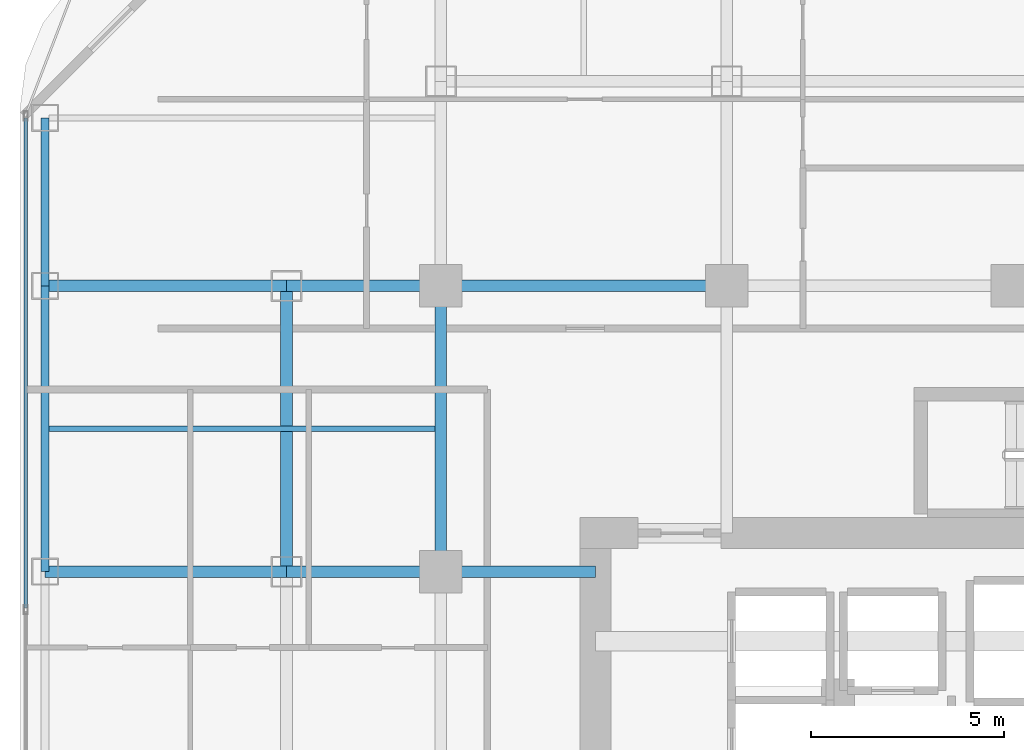
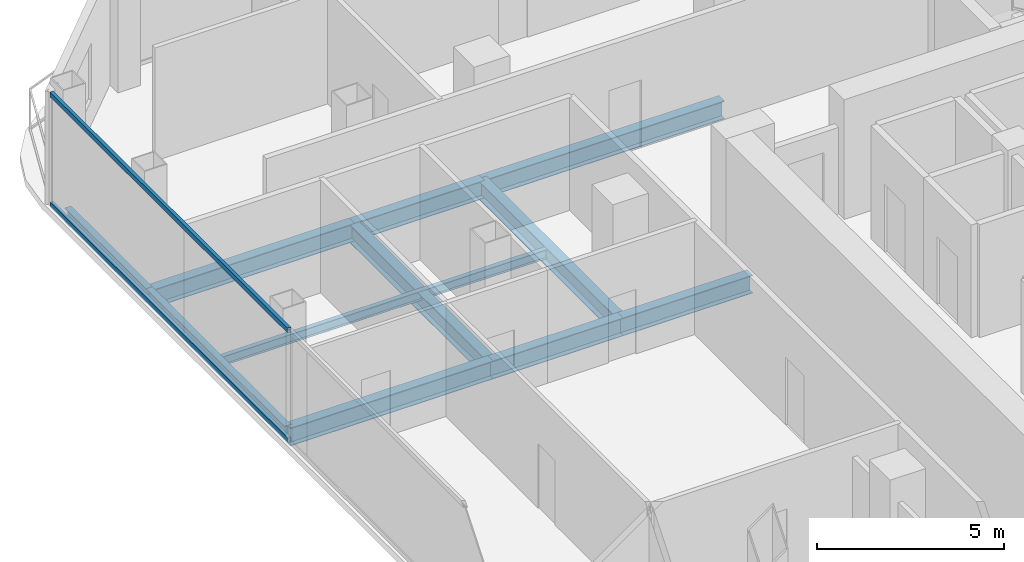
# One storey, part 10 of 25: 11 beams, 2 members, 1 element without a shape of its own.
"""IFC4 building model written with IfcOpenShell, lengths in metres."""

import ifcopenshell
import ifcopenshell.guid

model = None  # the IFC model being written
_history = None  # IfcOwnerHistory: only IFC2X3 demands one
_inside = {}  # id of a spatial element -> (the spatial element, [elements in it])
_under = {}  # id of a project, library or spatial element -> (it, [spatial elements below it])
_declared = {}  # id of a project -> (the project, [libraries it declares])
_typed = {}  # id of a type object -> (the type object, [elements of that type])
_made_of = {}  # id of a material, layer set ... -> (it, [elements and type objects made of it])


def new_model(schema):
    """Start an empty IFC model of exactly this schema.

    Asked for "IFC4X3", IfcOpenShell would pick the latest addendum, in which some entities
    have other attributes; the version numbers below select the first issue.
    IFC2X3 requires an IfcOwnerHistory on every rooted entity: one is made here for all.
    """
    global model, _history
    if schema == "IFC4X3":
        model = ifcopenshell.file(schema_version=(4, 3, 0, 0))
    else:
        model = ifcopenshell.file(schema=schema)
    _inside.clear()
    _under.clear()
    _declared.clear()
    _typed.clear()
    _made_of.clear()
    _history = None
    if model.schema == "IFC2X3":
        org = make("IfcOrganization", Name="unknown")
        user = make(
            "IfcPersonAndOrganization",
            ThePerson=make("IfcPerson", FamilyName="unknown"),
            TheOrganization=org,
        )
        app = make(
            "IfcApplication",
            ApplicationDeveloper=org,
            Version="unknown",
            ApplicationFullName="unknown",
            ApplicationIdentifier="unknown",
        )
        _history = make(
            "IfcOwnerHistory",
            OwningUser=user,
            OwningApplication=app,
            ChangeAction="ADDED",
            CreationDate=0,
        )
    return model


def make(cls, **values):
    """One entity of the class cls with the attributes given. An attribute that is None is left unset."""
    return model.create_entity(
        cls, **{name: value for name, value in values.items() if value is not None}
    )


def rooted(cls, **values):
    """An entity with a GlobalId (a new one), such as an element, a storey or a relation."""
    return make(cls, GlobalId=ifcopenshell.guid.new(), OwnerHistory=_history, **values)


def si_unit(unit_type, name, prefix=None):
    """IfcSIUnit, for example si_unit("LENGTHUNIT", "METRE", prefix="MILLI")."""
    return make("IfcSIUnit", UnitType=unit_type, Prefix=prefix, Name=name)


def assignment(units):
    """IfcUnitAssignment: the units of a project."""
    return None if units is None else make("IfcUnitAssignment", Units=units)


def point(xyz):
    """IfcCartesianPoint."""
    return None if xyz is None else make("IfcCartesianPoint", Coordinates=xyz)


def direction(xyz):
    """IfcDirection."""
    return None if xyz is None else make("IfcDirection", DirectionRatios=xyz)


def frame(location, z_axis=None, x_axis=None):
    """IfcAxis2Placement3D, a coordinate frame: its origin and axes. An axis left out is left unset."""
    return make(
        "IfcAxis2Placement3D",
        Location=point(location),
        Axis=direction(z_axis),
        RefDirection=direction(x_axis),
    )


def frame_2d(location, x_axis=None):
    """IfcAxis2Placement2D, a coordinate frame in the plane: its origin and x axis."""
    return make(
        "IfcAxis2Placement2D", Location=point(location), RefDirection=direction(x_axis)
    )


def origin():
    """The frame at (0, 0, 0) with its axes left unset."""
    return frame((0.0, 0.0, 0.0))


def origin_2d():
    """The frame at (0, 0) in the plane with its x axis left unset."""
    return frame_2d((0.0, 0.0))


def place(relative_to, where):
    """IfcLocalPlacement: puts the frame where relative to a parent placement (None: the world)."""
    return make(
        "IfcLocalPlacement", PlacementRelTo=relative_to, RelativePlacement=where
    )


def context(
    kind, dimensions, precision=None, world=None, true_north=None, identifier=None
):
    """IfcGeometricRepresentationContext, for example the 3D "Model" context."""
    return make(
        "IfcGeometricRepresentationContext",
        ContextIdentifier=identifier,
        ContextType=kind,
        CoordinateSpaceDimension=dimensions,
        Precision=precision,
        WorldCoordinateSystem=world,
        TrueNorth=true_north,
    )


def subcontext(parent, identifier, kind, view, scale=None):
    """IfcGeometricRepresentationSubContext, for example "Body" below "Model"."""
    return make(
        "IfcGeometricRepresentationSubContext",
        ContextIdentifier=identifier,
        ContextType=kind,
        ParentContext=parent,
        TargetScale=scale,
        TargetView=view,
    )


def project(units=None, contexts=None):
    """IfcProject with its units and contexts."""
    return rooted(
        "IfcProject",
        Name="project",
        RepresentationContexts=contexts,
        UnitsInContext=assignment(units),
    )


def spatial(cls, under=None, at=None, **own):
    """A site, building, storey or space (cls), placed at a placement, below another one or the project."""
    s = rooted(cls, ObjectPlacement=at, **own)
    if under is not None:
        _under.setdefault(under.id(), (under, []))[1].append(s)
    return s


def profile(cls, at=None, kind="AREA", **sizes):
    """A parametric profile (cls). Its sizes go by their IFC names, for example OverallWidth=200.0."""
    return make(cls, ProfileType=kind, Position=at, **sizes)


def hollow_rectangle(**sizes):
    """IfcRectangleHollowProfileDef."""
    return profile("IfcRectangleHollowProfileDef", **sizes)


def i_section(**sizes):
    """IfcIShapeProfileDef."""
    return profile("IfcIShapeProfileDef", **sizes)


def extrude(swept, where, along, depth):
    """IfcExtrudedAreaSolid: the profile swept, set in the frame where, extruded along a direction by depth."""
    return make(
        "IfcExtrudedAreaSolid",
        SweptArea=swept,
        Position=where,
        ExtrudedDirection=direction(along),
        Depth=depth,
    )


def shape(context_of_items, identifier, shape_type, items):
    """IfcShapeRepresentation: the items that make up one representation, for example the "Body"."""
    return make(
        "IfcShapeRepresentation",
        ContextOfItems=context_of_items,
        RepresentationIdentifier=identifier,
        RepresentationType=shape_type,
        Items=items,
    )


def material(Name=None, Category=None):
    """IfcMaterial."""
    return make("IfcMaterial", Name=Name, Category=Category)


def layer(
    of_material, thickness, ventilated=None, Name=None, Category=None, Priority=None
):
    """IfcMaterialLayer: one layer of a wall or slab, of a material (None: an air gap)."""
    return make(
        "IfcMaterialLayer",
        Material=of_material,
        LayerThickness=thickness,
        IsVentilated=ventilated,
        Name=Name,
        Category=Category,
        Priority=Priority,
    )


def layer_set(layers, Name=None):
    """IfcMaterialLayerSet."""
    return make("IfcMaterialLayerSet", MaterialLayers=layers, LayerSetName=Name)


def material_profile(
    of_material, cross_section, Name=None, Category=None, Priority=None
):
    """IfcMaterialProfile: a cross section and its material."""
    return make(
        "IfcMaterialProfile",
        Name=Name,
        Material=of_material,
        Profile=cross_section,
        Priority=Priority,
        Category=Category,
    )


def profile_set(profiles, Name=None, composite=None):
    """IfcMaterialProfileSet."""
    return make(
        "IfcMaterialProfileSet",
        Name=Name,
        MaterialProfiles=profiles,
        CompositeProfile=composite,
    )


def made_of(thing, what):
    """Note that an element or type object is made of a material, layer set ...; save() writes the relation."""
    if what is not None:
        _made_of.setdefault(what.id(), (what, []))[1].append(thing)
    return thing


def type_object(cls, material=None, **own):
    """A type object (cls), such as IfcWallType, which elements share."""
    return made_of(rooted(cls, **own), material)


def element(
    cls,
    number,
    at=None,
    inside=None,
    cuts=None,
    type_object=None,
    material=None,
    context=None,
    identifier="Body",
    shape_type=None,
    held_by="IfcProductDefinitionShape",
    body=None,
    shapes=None,
    **own,
):
    """One element of the class cls, such as IfcWall. Its Tag is "e" and its number.

    at: its placement. inside: the storey or other place that contains it. cuts: it is an
    opening in that element (IfcRelVoidsElement). A single representation is given by context,
    identifier, shape_type and body (its items); several are given by shapes. held_by: the class
    of the entity that holds the representations. save() writes the other relations.
    """
    e = rooted(cls, Tag="e%d" % number, ObjectPlacement=at, **own)
    if body is not None:
        shapes = [shape(context, identifier, shape_type, body)]
    if shapes is not None:
        e.Representation = make(held_by, Representations=shapes)
    if inside is not None:
        _inside.setdefault(inside.id(), (inside, []))[1].append(e)
    if cuts is not None:
        rooted(
            "IfcRelVoidsElement", RelatingBuildingElement=cuts, RelatedOpeningElement=e
        )
    if type_object is not None:
        _typed.setdefault(type_object.id(), (type_object, []))[1].append(e)
    return made_of(e, material)


def aggregate(whole, parts):
    """IfcRelAggregates: a whole, such as a stair, and the parts it consists of."""
    return rooted("IfcRelAggregates", RelatingObject=whole, RelatedObjects=parts)


def save(model, path):
    """Write the relations noted so far, then the file.

    IfcRelAggregates (storeys below a building ...), IfcRelContainedInSpatialStructure (elements
    in a storey), IfcRelDefinesByType, IfcRelAssociatesMaterial and IfcRelDeclares: one each for
    every whole, place, type object, material and project.
    """
    for whole, parts in _under.values():
        aggregate(whole, parts)
    for where, things in _inside.values():
        rooted(
            "IfcRelContainedInSpatialStructure",
            RelatedElements=things,
            RelatingStructure=where,
        )
    for kind, things in _typed.values():
        rooted("IfcRelDefinesByType", RelatedObjects=things, RelatingType=kind)
    for what, things in _made_of.values():
        rooted("IfcRelAssociatesMaterial", RelatedObjects=things, RelatingMaterial=what)
    for by, libraries in _declared.values():
        rooted("IfcRelDeclares", RelatingContext=by, RelatedDefinitions=libraries)
    model.write(path)


model = new_model("IFC4")

# Units and contexts
model_context = context("Model", 3, precision=1e-05, world=origin(), true_north=direction((0.0, 1.0)))
body_context = subcontext(model_context, "Body", "Model", "MODEL_VIEW")
ifc_project = project(units=[si_unit("LENGTHUNIT", "METRE"), si_unit("AREAUNIT", "SQUARE_METRE"), si_unit("VOLUMEUNIT", "CUBIC_METRE"), si_unit("PLANEANGLEUNIT", "RADIAN"), si_unit("MASSUNIT", "GRAM", prefix="KILO")], contexts=[model_context])

# Site, building, storey
site_placement = place(None, origin())
site = spatial("IfcSite", under=ifc_project, at=site_placement, CompositionType="ELEMENT")
building_placement = place(site_placement, origin())
building = spatial("IfcBuilding", under=site, at=building_placement, Name="Khorvyn Point Tower", CompositionType="ELEMENT")
storey_placement = place(building_placement, frame((0.0, 0.0, 171.89990234375)))
storey = spatial("IfcBuildingStorey", under=building, at=storey_placement, Name="L42", CompositionType="ELEMENT", Elevation=171.89990234375)

# Curtain wall, members
ifc_material_1 = material(Name="Anodised aluminium 6063-T6 and laminated Low-E glass", Category="aluminium")
ifc_layer = layer(ifc_material_1, 0.18994140625)
ifc_layer_set = layer_set([ifc_layer], Name="Stick-Built Acoustic Curtain Wall CW-SYS-03")
curtain_wall_type = type_object("IfcCurtainWallType", Name="Stick-Built Acoustic Curtain Wall CW-SYS-03", PredefinedType="NOTDEFINED", material=ifc_layer_set)
curtain_wall_placement = place(storey_placement, origin())
curtain_wall = element("IfcCurtainWall", 1, at=curtain_wall_placement, inside=storey, type_object=curtain_wall_type, Name="Curtain Wall", PredefinedType="NOTDEFINED")
ifc_material_2 = material(Name="Anodised aluminium 6063-T6", Category="aluminium")
ifc_material_profile_1 = material_profile(ifc_material_2, hollow_rectangle(XDim=0.10009765625, YDim=0.159912109375, WallThickness=0.00439453125, at=origin_2d()))
ifc_profile_set_1 = profile_set([ifc_material_profile_1], Name="Anodised aluminium 6063-T6 ALU-TRN-100x160")
member_type = type_object("IfcMemberType", Name="Anodised Aluminium 6063-T6 Transom ALU-TRN-100x160", PredefinedType="USERDEFINED", material=ifc_profile_set_1)
member_1_placement = place(storey_placement, frame((-25.550048828125, 6.466552734375, 0.050048828125), z_axis=(0.0, 1.0, 0.0), x_axis=(-1.0, 0.0, 0.0)))
member_1 = element("IfcMember", 2, at=member_1_placement, type_object=member_type, Name="Transom", ObjectType="TRANSOM", PredefinedType="USERDEFINED", context=body_context, shape_type="SweptSolid", body=[
    extrude(hollow_rectangle(XDim=0.10009765625, YDim=0.159912109375, WallThickness=0.00439453125, at=origin_2d()), origin(), (0.0, 0.0, 1.0), 12.683349609375),
])
member_2_placement = place(storey_placement, frame((-25.550048828125, 6.466552734375, 3.630126953125), z_axis=(0.0, 1.0, 0.0), x_axis=(-1.0, 0.0, 0.0)))
member_2 = element("IfcMember", 3, at=member_2_placement, type_object=member_type, Name="Transom", ObjectType="TRANSOM", PredefinedType="USERDEFINED", context=body_context, shape_type="SweptSolid", body=[
    extrude(hollow_rectangle(XDim=0.10009765625, YDim=0.159912109375, WallThickness=0.00439453125, at=origin_2d()), origin(), (0.0, 0.0, 1.0), 12.683349609375),
])
aggregate(curtain_wall, [member_1, member_2])

# Beams
ifc_material_3 = material(Name="Steel S355", Category="steel")
ifc_material_profile_2 = material_profile(ifc_material_3, i_section(OverallWidth=0.300048828125, OverallDepth=0.587890625, WebThickness=0.011962890625, FlangeThickness=0.02001953125, at=origin_2d()))
ifc_profile_set_2 = profile_set([ifc_material_profile_2], Name="Steel S355 H588x300x12x20")
beam_type_1 = type_object("IfcBeamType", Name="Steel S355 Beam H588x300x12x20", PredefinedType="BEAM", material=ifc_profile_set_2)
beam_1_placement = place(storey_placement, frame((-25.050048828125, 14.800048828125, -0.513916015625), z_axis=(1.0, 0.0, 0.0), x_axis=(0.0, 1.0, 0.0)))
element("IfcBeam", 4, at=beam_1_placement, inside=storey, type_object=beam_type_1, Name="Beam", PredefinedType="BEAM", context=body_context, shape_type="SweptSolid", body=[
    extrude(i_section(OverallWidth=0.300048828125, OverallDepth=0.587890625, WebThickness=0.011962890625, FlangeThickness=0.02001953125, at=origin_2d()), origin(), (0.0, 0.0, 1.0), 6.25),
])
beam_2_placement = place(storey_placement, frame((-18.800048828125, 14.800048828125, -0.513916015625), z_axis=(1.0, 0.0, 0.0), x_axis=(0.0, 1.0, 0.0)))
element("IfcBeam", 5, at=beam_2_placement, inside=storey, type_object=beam_type_1, Name="Beam", PredefinedType="BEAM", context=body_context, shape_type="SweptSolid", body=[
    extrude(i_section(OverallWidth=0.300048828125, OverallDepth=0.587890625, WebThickness=0.011962890625, FlangeThickness=0.02001953125, at=origin_2d()), origin(), (0.0, 0.0, 1.0), 4.0),
])
beam_3_placement = place(storey_placement, frame((-14.800048828125, 14.800048828125, -0.513916015625), z_axis=(1.0, 0.0, 0.0), x_axis=(0.0, 1.0, 0.0)))
element("IfcBeam", 6, at=beam_3_placement, inside=storey, type_object=beam_type_1, Name="Beam", PredefinedType="BEAM", context=body_context, shape_type="SweptSolid", body=[
    extrude(i_section(OverallWidth=0.300048828125, OverallDepth=0.587890625, WebThickness=0.011962890625, FlangeThickness=0.02001953125, at=origin_2d()), origin(), (0.0, 0.0, 1.0), 7.400146484375),
])
beam_4_placement = place(storey_placement, frame((-25.050048828125, 7.39990234375, -0.513916015625), z_axis=(1.0, 0.0, 0.0), x_axis=(0.0, 1.0, 0.0)))
element("IfcBeam", 7, at=beam_4_placement, inside=storey, type_object=beam_type_1, Name="Beam", PredefinedType="BEAM", context=body_context, shape_type="SweptSolid", body=[
    extrude(i_section(OverallWidth=0.300048828125, OverallDepth=0.587890625, WebThickness=0.011962890625, FlangeThickness=0.02001953125, at=origin_2d()), origin(), (0.0, 0.0, 1.0), 6.25),
])
for number, where, z_axis, x_axis, name in (
    (8, (-18.800048828125, 7.39990234375, -0.513916015625), (1.0, 0.0, 0.0), (0.0, 1.0, 0.0), "Beam"),
    (9, (-14.800048828125, 7.39990234375, -0.513916015625), (1.0, 0.0, 0.0), (0.0, 1.0, 0.0), "Beam"),
):
    element("IfcBeam", number, at=place(storey_placement, frame(where, z_axis=z_axis, x_axis=x_axis)), inside=storey, type_object=beam_type_1, Name=name, PredefinedType="BEAM", context=body_context, shape_type="SweptSolid", body=[
        extrude(i_section(OverallWidth=0.300048828125, OverallDepth=0.587890625, WebThickness=0.011962890625, FlangeThickness=0.02001953125, at=origin_2d()), origin(), (0.0, 0.0, 1.0), 4.0),
    ])
for number, where, z_axis, x_axis, name in (
    (10, (-14.800048828125, 7.39990234375, -0.513916015625), (0.0, 1.0, 0.0), (-1.0, 0.0, 0.0), "Beam"),
    (11, (-18.800048828125, 7.39990234375, -0.513916015625), (0.0, 1.0, 0.0), (-1.0, 0.0, 0.0), "Beam"),
):
    element("IfcBeam", number, at=place(storey_placement, frame(where, z_axis=z_axis, x_axis=x_axis)), inside=storey, type_object=beam_type_1, Name=name, PredefinedType="BEAM", context=body_context, shape_type="SweptSolid", body=[
        extrude(i_section(OverallWidth=0.300048828125, OverallDepth=0.587890625, WebThickness=0.011962890625, FlangeThickness=0.02001953125, at=origin_2d()), origin(), (0.0, 0.0, 1.0), 7.400146484375),
    ])
ifc_material_profile_3 = material_profile(ifc_material_3, i_section(OverallWidth=0.14990234375, OverallDepth=0.300048828125, WebThickness=0.006591796875, FlangeThickness=0.009033203125, at=origin_2d()))
ifc_profile_set_3 = profile_set([ifc_material_profile_3], Name="Steel S355 H300x150x6.5x9")
beam_type_2 = type_object("IfcBeamType", Name="Steel S355 Joist H300x150x6.5x9", PredefinedType="JOIST", material=ifc_profile_set_3)
beam_5_placement = place(storey_placement, frame((-24.949951171875, 11.10009765625, -0.369873046875), z_axis=(1.0, 0.0, 0.0), x_axis=(0.0, 1.0, 0.0)))
element("IfcBeam", 12, at=beam_5_placement, inside=storey, type_object=beam_type_2, Name="Beam", PredefinedType="JOIST", context=body_context, shape_type="SweptSolid", body=[
    extrude(i_section(OverallWidth=0.14990234375, OverallDepth=0.300048828125, WebThickness=0.006591796875, FlangeThickness=0.009033203125, at=origin_2d()), origin(), (0.0, 0.0, 1.0), 10.0),
])
ifc_material_profile_4 = material_profile(ifc_material_3, i_section(OverallWidth=0.199951171875, OverallDepth=0.449951171875, WebThickness=0.009033203125, FlangeThickness=0.013916015625, at=origin_2d()))
ifc_profile_set_4 = profile_set([ifc_material_profile_4], Name="Steel S355 H450x200x9x14")
beam_type_3 = type_object("IfcBeamType", Name="Steel S355 Spandrel H450x200x9x14", PredefinedType="SPANDREL", material=ifc_profile_set_4)
beam_6_placement = place(storey_placement, frame((-25.050048828125, 7.39990234375, -0.44482421875), z_axis=(0.0, 1.0, 0.0), x_axis=(-1.0, 0.0, 0.0)))
element("IfcBeam", 13, at=beam_6_placement, inside=storey, type_object=beam_type_3, Name="Beam", PredefinedType="SPANDREL", context=body_context, shape_type="SweptSolid", body=[
    extrude(i_section(OverallWidth=0.199951171875, OverallDepth=0.449951171875, WebThickness=0.009033203125, FlangeThickness=0.013916015625, at=origin_2d()), origin(), (0.0, 0.0, 1.0), 7.400146484375),
])
beam_7_placement = place(storey_placement, frame((-25.050048828125, 14.800048828125, -0.44482421875), z_axis=(0.0, 1.0, 0.0), x_axis=(-1.0, 0.0, 0.0)))
element("IfcBeam", 14, at=beam_7_placement, inside=storey, type_object=beam_type_3, Name="Beam", PredefinedType="SPANDREL", context=body_context, shape_type="SweptSolid", body=[
    extrude(i_section(OverallWidth=0.199951171875, OverallDepth=0.449951171875, WebThickness=0.009033203125, FlangeThickness=0.013916015625, at=origin_2d()), origin(), (0.0, 0.0, 1.0), 4.349853515625),
])

save(model, "model.ifc")
